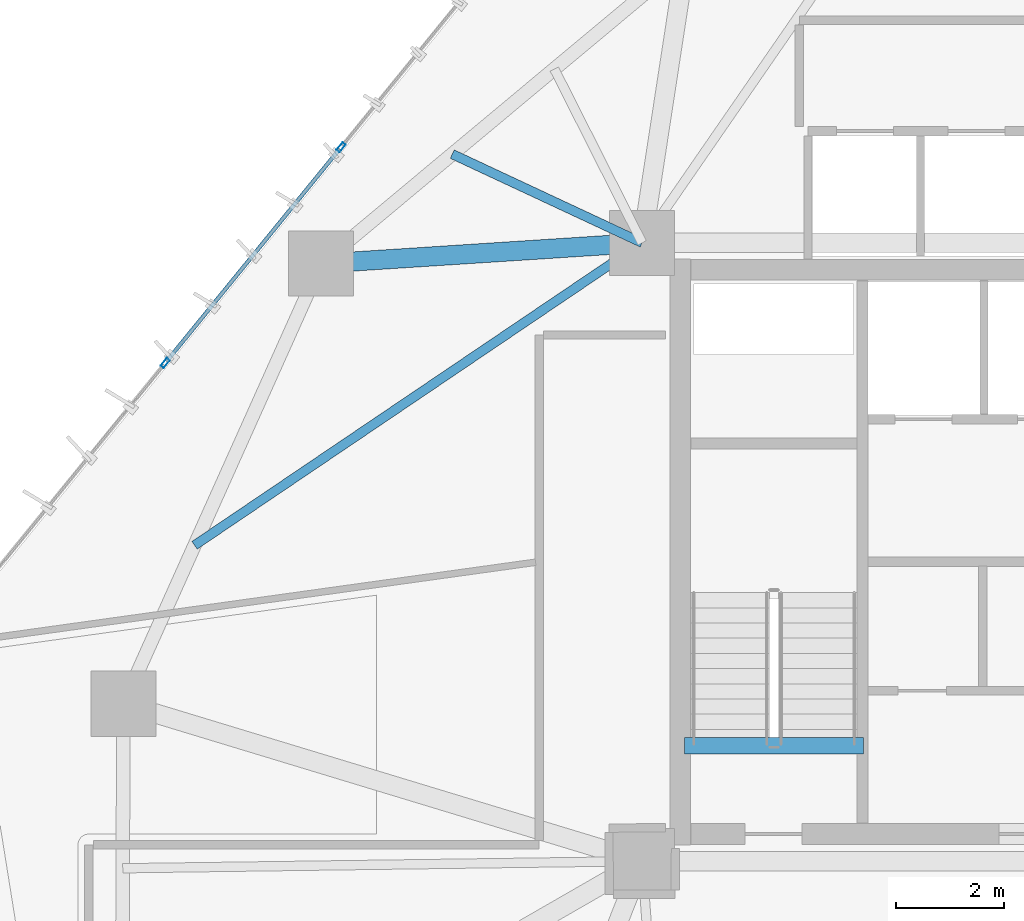
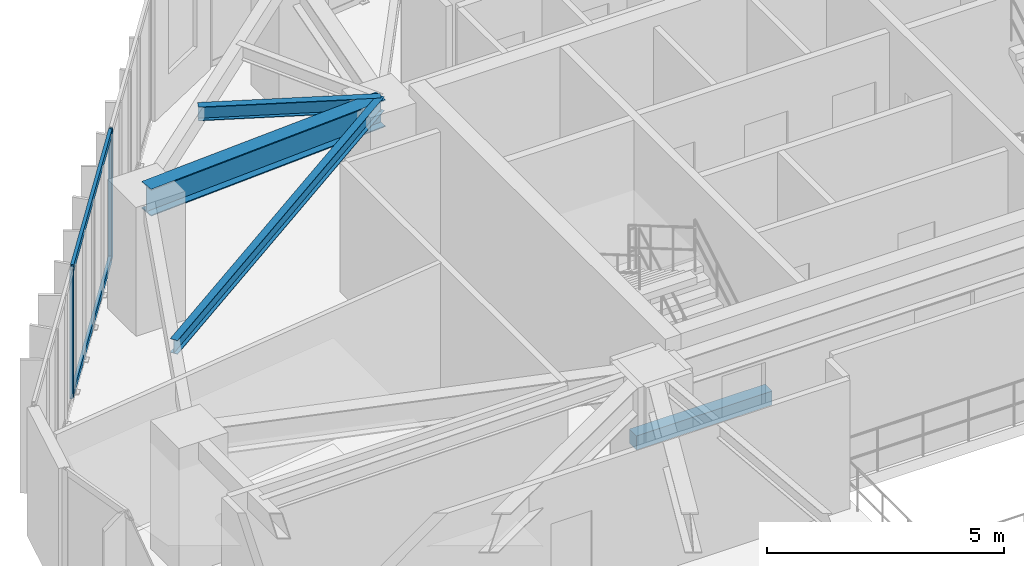
# One storey, part 10 of 24: 4 beams, 4 members, 1 element without a shape of its own.
"""IFC4 building model written with IfcOpenShell, lengths in metres."""

from ifc_helpers import new_model, si_unit, direction, frame, origin, origin_2d, place, context, subcontext, project, spatial, rectangle, hollow_rectangle, i_section, extrude, source, transform, mapped, material, layer, layer_set, material_profile, profile_set, type_object, type_shapes, element, aggregate, save


model = new_model("IFC4")

# Units and contexts
model_context = context("Model", 3, precision=1e-05, world=origin(), true_north=direction((0.0, 1.0)))
body_context = subcontext(model_context, "Body", "Model", "MODEL_VIEW")
ifc_project = project(units=[si_unit("LENGTHUNIT", "METRE"), si_unit("AREAUNIT", "SQUARE_METRE"), si_unit("VOLUMEUNIT", "CUBIC_METRE"), si_unit("PLANEANGLEUNIT", "RADIAN"), si_unit("MASSUNIT", "GRAM", prefix="KILO")], contexts=[model_context])

# Site, building, storey
site_placement = place(None, origin())
site = spatial("IfcSite", under=ifc_project, at=site_placement, CompositionType="ELEMENT")
building_placement = place(site_placement, origin())
building = spatial("IfcBuilding", under=site, at=building_placement, Name="Talar Marvaseh", CompositionType="ELEMENT")
storey_placement = place(building_placement, frame((0.0, 0.0, 111.0)))
storey = spatial("IfcBuildingStorey", under=building, at=storey_placement, Name="L28", CompositionType="ELEMENT", Elevation=111.0)

# Beams
ifc_material_1 = material(Name="Concrete C40/50", Category="concrete")
ifc_material_profile_1 = material_profile(ifc_material_1, rectangle(XDim=0.300048828125, YDim=0.360107421875, at=origin_2d()), Name="RC300x360")
ifc_profile_set_1 = profile_set([ifc_material_profile_1], Name="Concrete C40/50")
beam_type_1 = type_object("IfcBeamType", Name="Concrete Stair Landing Trimmer Beam RC300x360", PredefinedType="SPANDREL", material=ifc_profile_set_1)
beam_1_placement = place(storey_placement, frame((22.780029296875, 27.6298828125, -0.179931640625), z_axis=(-1.0, 0.0, 0.0), x_axis=(0.0, -1.0, 0.0)))
element("IfcBeam", 1, at=beam_1_placement, inside=storey, type_object=beam_type_1, Name="L28 ST-1 Stair Nosing Trimmer Beam", PredefinedType="SPANDREL", context=body_context, shape_type="SweptSolid", body=[
    extrude(rectangle(XDim=0.300048828125, YDim=0.360107421875, at=origin_2d()), origin(), (0.0, 0.0, 1.0), 3.300048828125),
])
ifc_material_2 = material(Name="Steel S355", Category="steel")
ifc_material_profile_2 = material_profile(ifc_material_2, i_section(OverallWidth=0.35498046875, OverallDepth=0.695068359375, WebThickness=0.015380859375, FlangeThickness=0.02490234375, at=origin_2d()), Name="W690x217")
ifc_profile_set_2 = profile_set([ifc_material_profile_2], Name="Steel S355")
beam_type_2 = type_object("IfcBeamType", Name="Zone 2 Radial Floor Girder W690x217", PredefinedType="BEAM", material=ifc_profile_set_2)
beam_2_placement = place(storey_placement, frame((12.780029296875, 36.51708984375, 2.96240234375), z_axis=(0.997915745008, 0.064530348407, 0.0), x_axis=(-0.064530348407, 0.997915745008, 0.0)))
element("IfcBeam", 2, at=beam_2_placement, inside=storey, type_object=beam_type_2, Name="L28 Zone 2 Radial Floor Girder W690x217", PredefinedType="BEAM", context=body_context, shape_type="SweptSolid", body=[
    extrude(i_section(OverallWidth=0.35498046875, OverallDepth=0.695068359375, WebThickness=0.015380859375, FlangeThickness=0.02490234375, at=origin_2d()), origin(), (0.0, 0.0, 1.0), 5.932373046875),
])
ifc_material_profile_3 = material_profile(ifc_material_2, i_section(OverallWidth=0.172119140625, OverallDepth=0.35791015625, WebThickness=0.0078125, FlangeThickness=0.01318359375, at=origin_2d()), Name="W360x57")
ifc_profile_set_3 = profile_set([ifc_material_profile_3], Name="Steel S355")
beam_type_3 = type_object("IfcBeamType", Name="Zone 2 Secondary Floor Joist W360x57", PredefinedType="JOIST", material=ifc_profile_set_3)
beam_3_placement = place(storey_placement, frame((10.44921875, 31.323486328125, 3.131103515625), z_axis=(0.828514577653, 0.55996749425, 0.0), x_axis=(-0.55996749425, 0.828514577653, 0.0)))
element("IfcBeam", 3, at=beam_3_placement, inside=storey, type_object=beam_type_3, Name="L28 Zone 2 Secondary Floor Joist W360x57", PredefinedType="JOIST", context=body_context, shape_type="SweptSolid", body=[
    extrude(i_section(OverallWidth=0.172119140625, OverallDepth=0.35791015625, WebThickness=0.0078125, FlangeThickness=0.01318359375, at=origin_2d()), origin(), (0.0, 0.0, 1.0), 9.95849609375),
])
beam_4_placement = place(storey_placement, frame((15.19970703125, 38.53515625, 3.131103515625), z_axis=(0.906003856895, -0.423269431086, 0.0), x_axis=(0.423269431086, 0.906003856895, 0.0)))
element("IfcBeam", 4, at=beam_4_placement, inside=storey, type_object=beam_type_3, Name="L28 Zone 2 Secondary Floor Joist W360x57", PredefinedType="JOIST", context=body_context, shape_type="SweptSolid", body=[
    extrude(i_section(OverallWidth=0.172119140625, OverallDepth=0.35791015625, WebThickness=0.0078125, FlangeThickness=0.01318359375, at=origin_2d()), origin(), (0.0, 0.0, 1.0), 3.86328125),
])

# Curtain wall, members
ifc_material_3 = material(Name="Architectural Aluminium", Category="aluminium")
ifc_layer = layer(ifc_material_3, 0.199951171875)
ifc_layer_set = layer_set([ifc_layer], Name="Architectural Aluminium")
curtain_wall_type = type_object("IfcCurtainWallType", Name="Unitised Acoustic Library Curtain Wall Z2", PredefinedType="NOTDEFINED", material=ifc_layer_set)
curtain_wall_placement = place(storey_placement, origin())
curtain_wall = element("IfcCurtainWall", 5, at=curtain_wall_placement, inside=storey, type_object=curtain_wall_type, Name="L28 Unitised Acoustic Library Curtain Wall Z2", PredefinedType="NOTDEFINED")
ifc_material_profile_4 = material_profile(ifc_material_3, hollow_rectangle(XDim=0.074951171875, YDim=0.179931640625, WallThickness=0.0048828125, at=origin_2d()), Name="RHS180x75x5")
ifc_profile_set_4 = profile_set([ifc_material_profile_4], Name="Architectural Aluminium")
member_type_1 = type_object("IfcMemberType", Name="Unitised Curtain Wall Standard Mullion RHS180x75x5", PredefinedType="MULLION", material=ifc_profile_set_4)
shared_shape_1 = source(origin(), body_context, "Body", "SweptSolid", [
    extrude(hollow_rectangle(XDim=0.074951171875, YDim=0.179931640625, WallThickness=0.0048828125, at=origin_2d()), origin(), (0.0, 0.0, 1.0), 3.31005859375),
])
type_shapes(member_type_1, [shared_shape_1])
member_1_placement = place(storey_placement, frame((9.90771484375, 34.683349609375, 0.0), z_axis=(0.0, 0.0, 1.0), x_axis=(-0.775146356701, 0.631781707311, 0.0)))
member_1 = element("IfcMember", 6, at=member_1_placement, type_object=member_type_1, Name="CW-Z2 mullion 2", PredefinedType="MULLION", context=body_context, shape_type="MappedRepresentation", body=[
    mapped(shared_shape_1, transform((0.0, 0.0, 0.0), x_axis=(1.0, 0.0, 0.0), y_axis=(0.0, 1.0, 0.0), z_axis=(0.0, 0.0, 1.0), scale=1.0)),
])
member_2_placement = place(storey_placement, frame((13.148681640625, 38.659912109375, 0.0), z_axis=(0.0, 0.0, 1.0), x_axis=(-0.775146356701, 0.631781707311, 0.0)))
member_2 = element("IfcMember", 7, at=member_2_placement, type_object=member_type_1, Name="CW-Z2 mullion 3", PredefinedType="MULLION", context=body_context, shape_type="MappedRepresentation", body=[
    mapped(shared_shape_1, transform((0.0, 0.0, 0.0), x_axis=(1.0, 0.0, 0.0), y_axis=(0.0, 1.0, 0.0), z_axis=(0.0, 0.0, 1.0), scale=1.0)),
])
ifc_material_profile_5 = material_profile(ifc_material_3, hollow_rectangle(XDim=0.074951171875, YDim=0.179931640625, WallThickness=0.0048828125, at=origin_2d()), Name="RHS180x75x5")
ifc_profile_set_5 = profile_set([ifc_material_profile_5], Name="Architectural Aluminium")
member_type_2 = type_object("IfcMemberType", Name="Unitised Curtain Wall Transom RHS180x75x5", PredefinedType="USERDEFINED", material=ifc_profile_set_5)
shared_shape_2 = source(origin(), body_context, "Body", "SweptSolid", [
    extrude(hollow_rectangle(XDim=0.074951171875, YDim=0.179931640625, WallThickness=0.0048828125, at=origin_2d()), origin(), (0.0, 0.0, 1.0), 5.054931640625),
])
type_shapes(member_type_2, [shared_shape_2])
member_3_placement = place(storey_placement, frame((9.931396484375, 34.71240234375, 0.03759765625), z_axis=(0.631766473746, 0.775158772543, 0.0), x_axis=(-0.775158772543, 0.631766473746, 0.0)))
member_3 = element("IfcMember", 8, at=member_3_placement, type_object=member_type_2, Name="CW-Z2 transom 2.1", ObjectType="TRANSOM", PredefinedType="USERDEFINED", context=body_context, shape_type="MappedRepresentation", body=[
    mapped(shared_shape_2, transform((0.0, 0.0, 0.0), x_axis=(1.0, 0.0, 0.0), y_axis=(0.0, 1.0, 0.0), z_axis=(0.0, 0.0, 1.0), scale=1.0)),
])
member_4_placement = place(storey_placement, frame((9.931396484375, 34.71240234375, 3.2724609375), z_axis=(0.631766473746, 0.775158772543, 0.0), x_axis=(-0.775158772543, 0.631766473746, 0.0)))
member_4 = element("IfcMember", 9, at=member_4_placement, type_object=member_type_2, Name="CW-Z2 transom 2.2", ObjectType="TRANSOM", PredefinedType="USERDEFINED", context=body_context, shape_type="MappedRepresentation", body=[
    mapped(shared_shape_2, transform((0.0, 0.0, 0.0), x_axis=(1.0, 0.0, 0.0), y_axis=(0.0, 1.0, 0.0), z_axis=(0.0, 0.0, 1.0), scale=1.0)),
])
aggregate(curtain_wall, [member_1, member_2, member_3, member_4])

save(model, "model.ifc")
